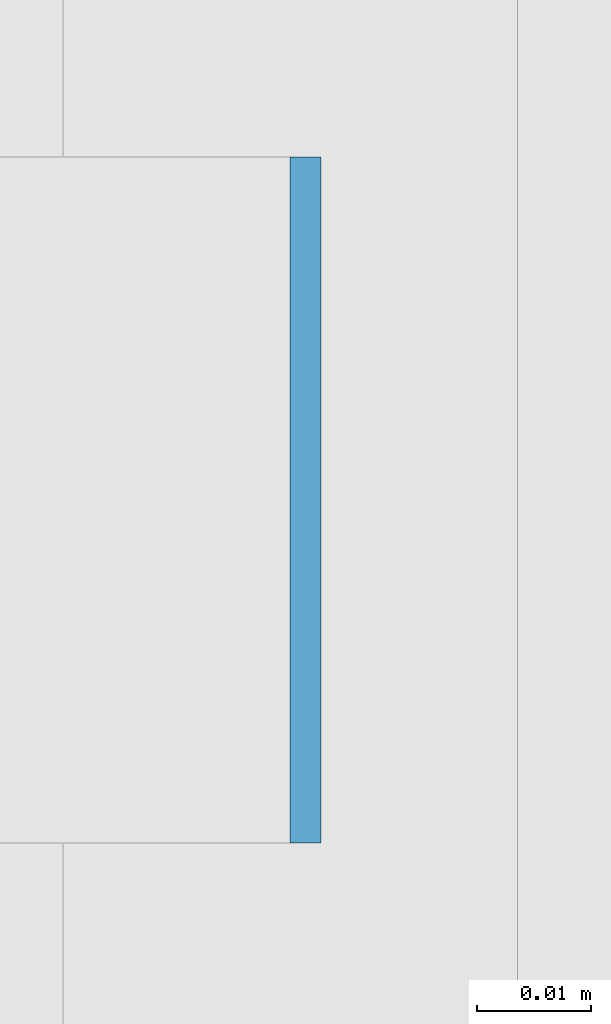
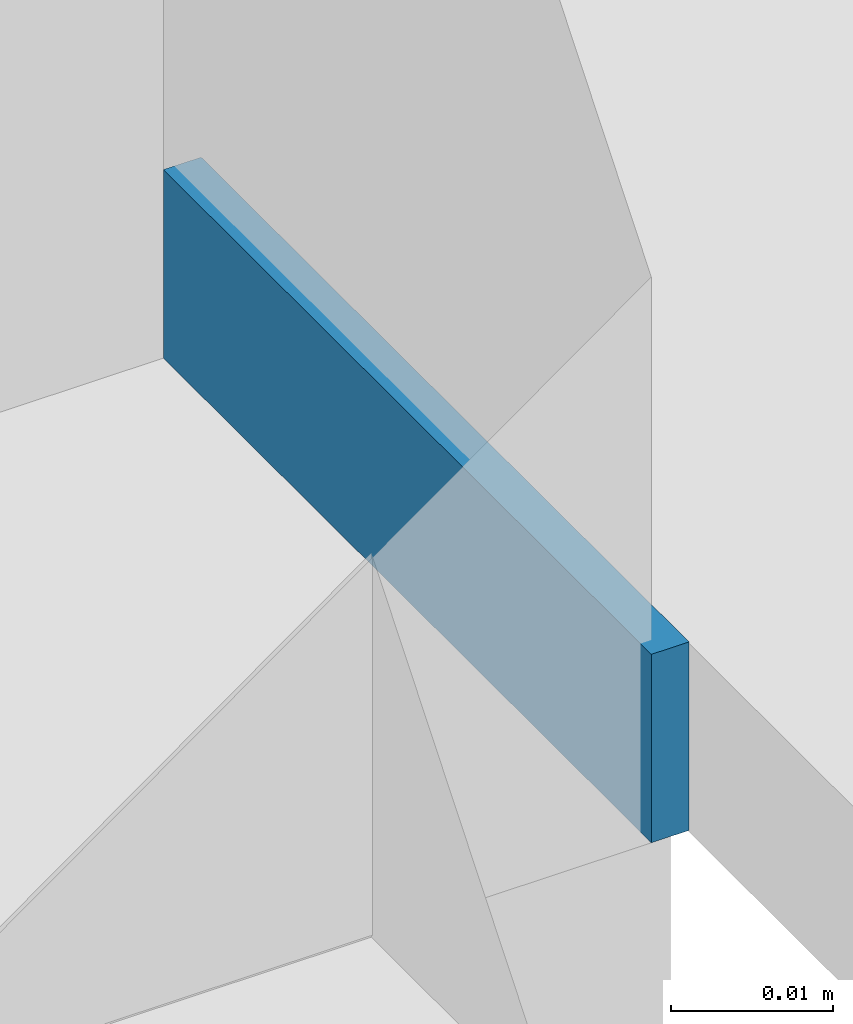
# One storey, part 266 of 646: 1 discrete accessory.
"""IFC4 building model written with IfcOpenShell, lengths in metres."""

from ifc_helpers import new_model, si_unit, direction, frame, origin, origin_2d, place, context, subcontext, project, spatial, rectangle, extrude, material, type_object, element, save


model = new_model("IFC4")

# Units and contexts
model_context = context("Model", 3, precision=1e-05, world=origin(), true_north=direction((0.0, 1.0)))
body_context = subcontext(model_context, "Body", "Model", "MODEL_VIEW")
ifc_project = project(units=[si_unit("LENGTHUNIT", "METRE"), si_unit("AREAUNIT", "SQUARE_METRE"), si_unit("VOLUMEUNIT", "CUBIC_METRE"), si_unit("PLANEANGLEUNIT", "RADIAN"), si_unit("MASSUNIT", "GRAM", prefix="KILO")], contexts=[model_context])

# Site, building, storey
site_placement = place(None, origin())
site = spatial("IfcSite", under=ifc_project, at=site_placement, CompositionType="ELEMENT")
building_placement = place(site_placement, origin())
building = spatial("IfcBuilding", under=site, at=building_placement, Name="Silverbay Arena", CompositionType="ELEMENT")
storey_placement = place(building_placement, frame((0.0, 0.0, 33.5)))
storey = spatial("IfcBuildingStorey", under=building, at=storey_placement, Name="L05", CompositionType="ELEMENT", Elevation=33.5)

# Discrete accessory
ifc_material = material(Name="Steel S355", Category="steel")
discrete_accessory_type = type_object("IfcDiscreteAccessoryType", Name="Steel bracket plate", PredefinedType="BRACKET", material=ifc_material)
discrete_accessory_placement = place(storey_placement, frame((53.871337890625, 43.71435546875, 4.0), z_axis=(0.0, 0.0, 1.0), x_axis=(1.0, 0.0, 0.0)))
element("IfcDiscreteAccessory", 1, at=discrete_accessory_placement, inside=storey, type_object=discrete_accessory_type, Name="Curtain wall packing plate", PredefinedType="BRACKET", context=body_context, shape_type="SweptSolid", body=[
    extrude(rectangle(XDim=0.002685546875, YDim=0.06005859375, at=origin_2d()), origin(), (0.0, 0.0, 1.0), 0.01416015625),
])

save(model, "model.ifc")
